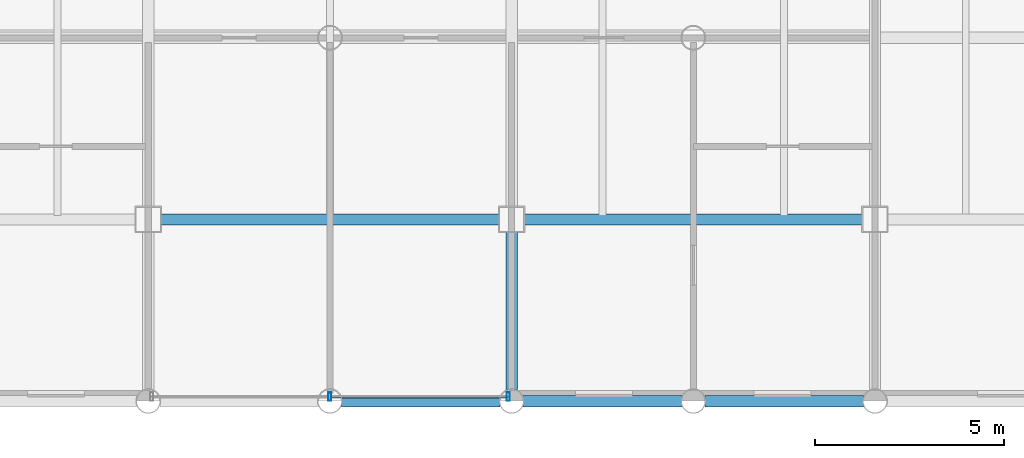
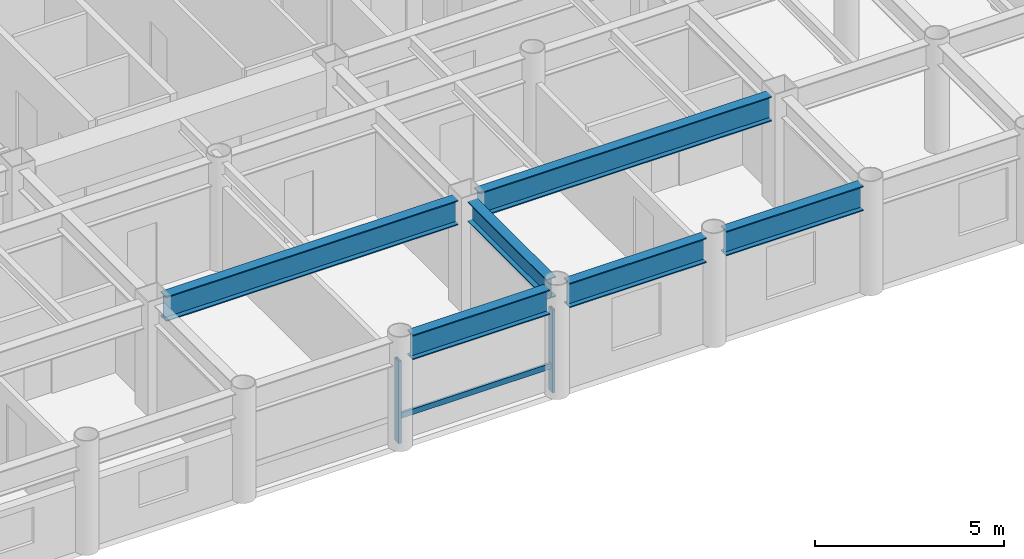
# One storey, part 6 of 21: 6 beams, 3 members, 1 element without a shape of its own.
"""IFC4 building model written with IfcOpenShell, lengths in metres."""

from ifc_helpers import new_model, si_unit, direction, frame, origin, origin_2d, place, context, subcontext, project, spatial, hollow_rectangle, i_section, extrude, material, layer, layer_set, material_profile, profile_set, type_object, element, aggregate, save


model = new_model("IFC4")

# Units and contexts
model_context = context("Model", 3, precision=1e-05, world=origin(), true_north=direction((0.0, 1.0)))
body_context = subcontext(model_context, "Body", "Model", "MODEL_VIEW")
ifc_project = project(units=[si_unit("LENGTHUNIT", "METRE"), si_unit("AREAUNIT", "SQUARE_METRE"), si_unit("VOLUMEUNIT", "CUBIC_METRE"), si_unit("PLANEANGLEUNIT", "RADIAN"), si_unit("MASSUNIT", "GRAM", prefix="KILO")], contexts=[model_context])

# Site, building, storey
site_placement = place(None, origin())
site = spatial("IfcSite", under=ifc_project, at=site_placement, CompositionType="ELEMENT")
building_placement = place(site_placement, origin())
building = spatial("IfcBuilding", under=site, at=building_placement, Name="Kallvorn Hotel Tower", CompositionType="ELEMENT")
storey_placement = place(building_placement, frame((0.0, 0.0, 139.60009765625)))
storey = spatial("IfcBuildingStorey", under=building, at=storey_placement, Name="L34", CompositionType="ELEMENT", Elevation=139.60009765625)

# Beams
ifc_material_1 = material(Name="Structural steel S355JR", Category="steel")
ifc_material_profile_1 = material_profile(ifc_material_1, i_section(OverallWidth=0.300048828125, OverallDepth=0.64990234375, WebThickness=0.01611328125, FlangeThickness=0.031005859375, at=origin_2d()), Name="HE 650 B")
ifc_profile_set_1 = profile_set([ifc_material_profile_1], Name="Structural steel S355JR")
beam_type_1 = type_object("IfcBeamType", Name="BM_HE650B", PredefinedType="BEAM", material=ifc_profile_set_1)
beam_1_placement = place(storey_placement, frame((4.800048828125, -18.89501953125, 3.19482421875), z_axis=(0.0, 1.0, 0.0), x_axis=(-1.0, 0.0, 0.0)))
element("IfcBeam", 1, at=beam_1_placement, inside=storey, type_object=beam_type_1, Name="L35 Primary Y-Girder 114", PredefinedType="BEAM", context=body_context, shape_type="SweptSolid", body=[
    extrude(i_section(OverallWidth=0.300048828125, OverallDepth=0.64990234375, WebThickness=0.01611328125, FlangeThickness=0.031005859375, at=origin_2d()), origin(), (0.0, 0.0, 1.0), 4.169921875),
])
ifc_material_2 = material(Name="Structural steel S355JR", Category="steel")
ifc_material_profile_2 = material_profile(ifc_material_2, i_section(OverallWidth=0.300048828125, OverallDepth=0.800048828125, WebThickness=0.017578125, FlangeThickness=0.032958984375, at=origin_2d()), Name="HE 800 B")
ifc_profile_set_2 = profile_set([ifc_material_profile_2], Name="Structural steel S355JR")
beam_type_2 = type_object("IfcBeamType", Name="BM_HE800B", PredefinedType="BEAM", material=ifc_profile_set_2)
beam_2_placement = place(storey_placement, frame((0.304931640625, -19.199951171875, 3.119873046875), z_axis=(1.0, 0.0, 0.0), x_axis=(0.0, 1.0, 0.0)))
element("IfcBeam", 2, at=beam_2_placement, inside=storey, type_object=beam_type_2, Name="L35 Primary X-Girder 07", PredefinedType="BEAM", context=body_context, shape_type="SweptSolid", body=[
    extrude(i_section(OverallWidth=0.300048828125, OverallDepth=0.800048828125, WebThickness=0.017578125, FlangeThickness=0.032958984375, at=origin_2d()), origin(), (0.0, 0.0, 1.0), 4.190185546875),
])
for number, where, z_axis, x_axis, name in (
    (3, (5.10498046875, -19.199951171875, 3.119873046875), (1.0, 0.0, 0.0), (0.0, 1.0, 0.0), "L35 Primary X-Girder 08"),
    (4, (9.905029296875, -19.199951171875, 3.119873046875), (1.0, 0.0, 0.0), (0.0, 1.0, 0.0), "L35 Primary X-Girder 09"),
):
    element("IfcBeam", number, at=place(storey_placement, frame(where, z_axis=z_axis, x_axis=x_axis)), inside=storey, type_object=beam_type_2, Name=name, PredefinedType="BEAM", context=body_context, shape_type="SweptSolid", body=[
        extrude(i_section(OverallWidth=0.300048828125, OverallDepth=0.800048828125, WebThickness=0.017578125, FlangeThickness=0.032958984375, at=origin_2d()), origin(), (0.0, 0.0, 1.0), 4.18994140625),
    ])
beam_3_placement = place(storey_placement, frame((-4.47509765625, -14.39990234375, 3.119873046875), z_axis=(1.0, 0.0, 0.0), x_axis=(0.0, 1.0, 0.0)))
element("IfcBeam", 5, at=beam_3_placement, inside=storey, type_object=beam_type_2, Name="L35 Primary X-Girder 18", PredefinedType="BEAM", context=body_context, shape_type="SweptSolid", body=[
    extrude(i_section(OverallWidth=0.300048828125, OverallDepth=0.800048828125, WebThickness=0.017578125, FlangeThickness=0.032958984375, at=origin_2d()), origin(), (0.0, 0.0, 1.0), 8.9501953125),
])
beam_4_placement = place(storey_placement, frame((5.125, -14.39990234375, 3.119873046875), z_axis=(1.0, 0.0, 0.0), x_axis=(0.0, 1.0, 0.0)))
element("IfcBeam", 6, at=beam_4_placement, inside=storey, type_object=beam_type_2, Name="L35 Primary X-Girder 19", PredefinedType="BEAM", context=body_context, shape_type="SweptSolid", body=[
    extrude(i_section(OverallWidth=0.300048828125, OverallDepth=0.800048828125, WebThickness=0.017578125, FlangeThickness=0.032958984375, at=origin_2d()), origin(), (0.0, 0.0, 1.0), 8.949951171875),
])

# Curtain wall, members
ifc_material_3 = material(Name="Thermally broken black-anodised aluminium AA 6063-T6", Category="aluminium")
ifc_layer = layer(ifc_material_3, 0.2099609375)
ifc_layer_set = layer_set([ifc_layer], Name="CW_SYS_4_HOTEL_MID")
curtain_wall_type = type_object("IfcCurtainWallType", Name="CW_SYS_4_HOTEL_MID", PredefinedType="USERDEFINED", material=ifc_layer_set)
curtain_wall_placement = place(storey_placement, origin())
curtain_wall = element("IfcCurtainWall", 7, at=curtain_wall_placement, inside=storey, type_object=curtain_wall_type, Name="L34 Dark-Glass Curtain Wall CW-L34-SC", ObjectType="UNITISED CURTAIN WALL", PredefinedType="USERDEFINED")
ifc_material_4 = material(Name="Thermally broken black-anodised aluminium AA 6063-T6", Category="aluminium")
ifc_material_profile_3 = material_profile(ifc_material_4, hollow_rectangle(XDim=0.080078125, YDim=0.219970703125, WallThickness=0.0048828125, at=origin_2d()), Name="MUL 220x80")
ifc_profile_set_3 = profile_set([ifc_material_profile_3], Name="Thermally broken black-anodised aluminium AA 6063-T6")
member_type_1 = type_object("IfcMemberType", Name="CW_MULLION_220x80", PredefinedType="MULLION", material=ifc_profile_set_3)
member_1_placement = place(storey_placement, frame((0.0, -19.080078125, 0.02001953125), z_axis=(0.0, 0.0, 1.0), x_axis=(1.0, 0.0, 0.0)))
member_1 = element("IfcMember", 8, at=member_1_placement, type_object=member_type_1, Name="CW-L34-SC Mullion 01", PredefinedType="MULLION", context=body_context, shape_type="SweptSolid", body=[
    extrude(hollow_rectangle(XDim=0.080078125, YDim=0.219970703125, WallThickness=0.0048828125, at=origin_2d()), origin(), (0.0, 0.0, 1.0), 2.679931640625),
])
member_2_placement = place(storey_placement, frame((4.7099609375, -19.080078125, 0.02001953125), z_axis=(0.0, 0.0, 1.0), x_axis=(1.0, 0.0, 0.0)))
member_2 = element("IfcMember", 9, at=member_2_placement, type_object=member_type_1, Name="CW-L34-SC Mullion 02", PredefinedType="MULLION", context=body_context, shape_type="SweptSolid", body=[
    extrude(hollow_rectangle(XDim=0.080078125, YDim=0.219970703125, WallThickness=0.0048828125, at=origin_2d()), origin(), (0.0, 0.0, 1.0), 2.679931640625),
])
ifc_material_5 = material(Name="Thermally broken black-anodised aluminium AA 6063-T6", Category="aluminium")
ifc_material_profile_4 = material_profile(ifc_material_5, hollow_rectangle(XDim=0.070068359375, YDim=0.179931640625, WallThickness=0.00390625, at=origin_2d()), Name="TRN 180x70")
ifc_profile_set_4 = profile_set([ifc_material_profile_4], Name="Thermally broken black-anodised aluminium AA 6063-T6")
member_type_2 = type_object("IfcMemberType", Name="CW_TRANSOM_180x70", PredefinedType="USERDEFINED", material=ifc_profile_set_4)
member_3_placement = place(storey_placement, frame((0.0400390625, -19.080078125, 0.849853515625), z_axis=(1.0, 0.0, 0.0), x_axis=(0.0, 1.0, 0.0)))
member_3 = element("IfcMember", 10, at=member_3_placement, type_object=member_type_2, Name="CW-L34-SC Transom 01M", ObjectType="TRANSOM", PredefinedType="USERDEFINED", context=body_context, shape_type="SweptSolid", body=[
    extrude(hollow_rectangle(XDim=0.070068359375, YDim=0.179931640625, WallThickness=0.00390625, at=origin_2d()), origin(), (0.0, 0.0, 1.0), 4.669921875),
])
aggregate(curtain_wall, [member_1, member_2, member_3])

save(model, "model.ifc")
